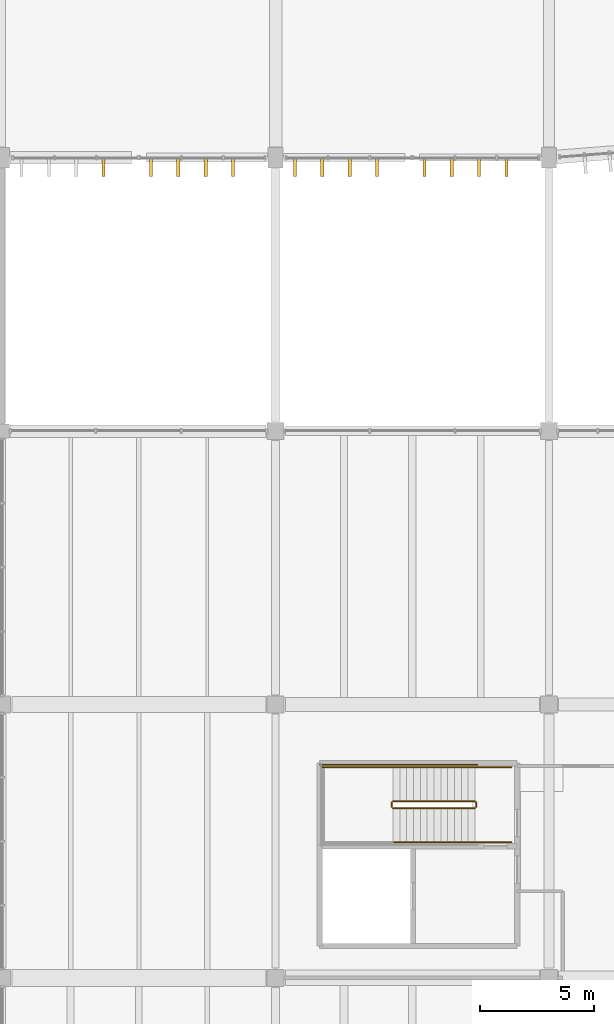
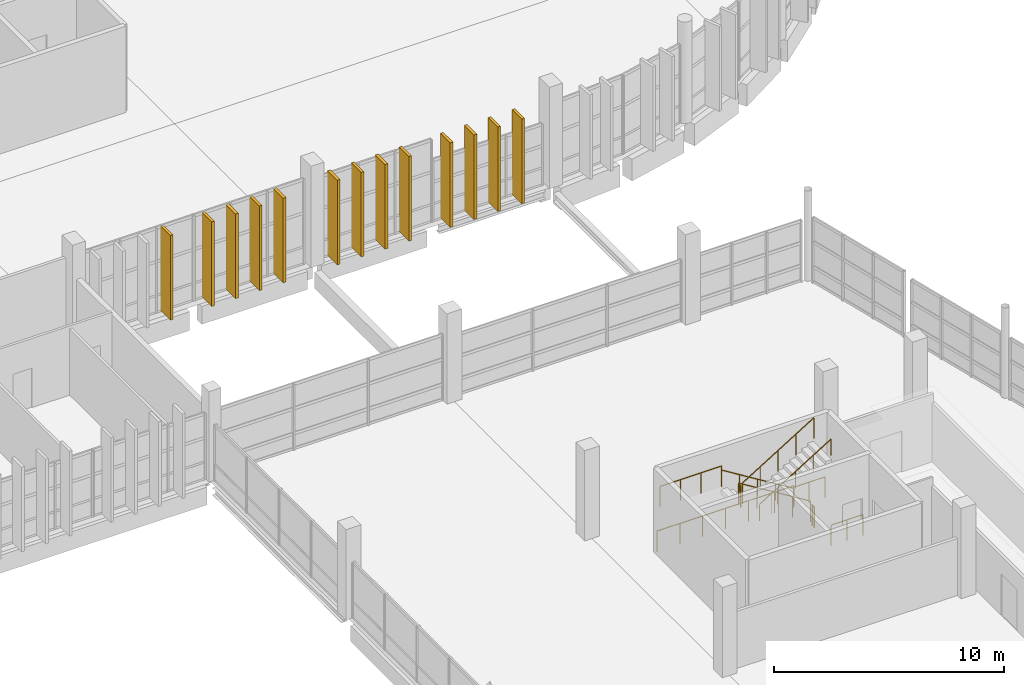
# One storey, part 108 of 112: 13 coverings, 10 railings.
"""IFC4 building model written with IfcOpenShell, lengths in metres."""

from ifc_helpers import new_model, si_unit, direction, frame, origin, origin_2d, place, context, subcontext, project, spatial, rectangle, circle, extrude, material, layer, layer_set, type_object, element, save


model = new_model("IFC4")

# Units and contexts
model_context = context("Model", 3, precision=1e-05, world=origin(), true_north=direction((0.0, 1.0)))
body_context = subcontext(model_context, "Body", "Model", "MODEL_VIEW")
ifc_project = project(units=[si_unit("LENGTHUNIT", "METRE"), si_unit("AREAUNIT", "SQUARE_METRE"), si_unit("VOLUMEUNIT", "CUBIC_METRE"), si_unit("PLANEANGLEUNIT", "RADIAN"), si_unit("MASSUNIT", "GRAM", prefix="KILO")], contexts=[model_context])

# Site, building, storey
site_placement = place(None, origin())
site = spatial("IfcSite", under=ifc_project, at=site_placement, CompositionType="ELEMENT")
building_placement = place(site_placement, origin())
building = spatial("IfcBuilding", under=site, at=building_placement, Name="Kamomehara Wholesale Market", CompositionType="ELEMENT")
storey_placement = place(building_placement, frame((0.0, 0.0, 6.60009765625)))
storey = spatial("IfcBuildingStorey", under=building, at=storey_placement, Name="L01", CompositionType="ELEMENT", Elevation=6.60009765625)

# Coverings
ifc_material_1 = material(Name="Anodised aluminium 6063-T5 Spectrum Red", Category="aluminium")
ifc_layer_1 = layer(ifc_material_1, 0.134033203125)
ifc_layer_set_1 = layer_set([ifc_layer_1], Name="Anodised aluminium 6063-T5 Spectrum Red")
covering_type_1 = type_object("IfcCoveringType", Name="COV-CLD-01", PredefinedType="CLADDING", material=ifc_layer_set_1)
covering_1_placement = place(storey_placement, frame((176.929931640625, 107.594970703125, 0.0), z_axis=(0.0, 0.0, 1.0), x_axis=(1.0, 0.0, 0.0)))
element("IfcCovering", 1, at=covering_1_placement, inside=storey, type_object=covering_type_1, Name="Polychrome spectrum fin S 155", PredefinedType="CLADDING", context=body_context, shape_type="SweptSolid", body=[
    extrude(rectangle(XDim=0.134033203125, YDim=0.85009765625, at=origin_2d()), origin(), (0.0, 0.0, 1.0), 4.5),
])
ifc_material_2 = material(Name="Anodised aluminium 6063-T5 Spectrum Orange", Category="aluminium")
ifc_layer_2 = layer(ifc_material_2, 0.135986328125)
ifc_layer_set_2 = layer_set([ifc_layer_2], Name="Anodised aluminium 6063-T5 Spectrum Orange")
covering_type_2 = type_object("IfcCoveringType", Name="COV-CLD-02", PredefinedType="CLADDING", material=ifc_layer_set_2)
covering_2_placement = place(storey_placement, frame((178.1298828125, 107.594970703125, 0.0), z_axis=(0.0, 0.0, 1.0), x_axis=(1.0, 0.0, 0.0)))
element("IfcCovering", 2, at=covering_2_placement, inside=storey, type_object=covering_type_2, Name="Polychrome spectrum fin S 156", PredefinedType="CLADDING", context=body_context, shape_type="SweptSolid", body=[
    extrude(rectangle(XDim=0.135986328125, YDim=0.85009765625, at=origin_2d()), origin(), (0.0, 0.0, 1.0), 4.5),
])
ifc_material_3 = material(Name="Anodised aluminium 6063-T5 Spectrum Amber", Category="aluminium")
ifc_layer_3 = layer(ifc_material_3, 0.137939453125)
ifc_layer_set_3 = layer_set([ifc_layer_3], Name="Anodised aluminium 6063-T5 Spectrum Amber")
covering_type_3 = type_object("IfcCoveringType", Name="COV-CLD-03", PredefinedType="CLADDING", material=ifc_layer_set_3)
covering_3_placement = place(storey_placement, frame((168.85009765625, 107.594970703125, 0.0), z_axis=(0.0, 0.0, 1.0), x_axis=(1.0, 0.0, 0.0)))
element("IfcCovering", 3, at=covering_3_placement, inside=storey, type_object=covering_type_3, Name="Polychrome spectrum fin S 157", PredefinedType="CLADDING", context=body_context, shape_type="SweptSolid", body=[
    extrude(rectangle(XDim=0.137939453125, YDim=0.85009765625, at=origin_2d()), origin(), (0.0, 0.0, 1.0), 4.5),
])
ifc_material_4 = material(Name="Anodised aluminium 6063-T5 Spectrum Green", Category="aluminium")
ifc_layer_4 = layer(ifc_material_4, 0.139892578125)
ifc_layer_set_4 = layer_set([ifc_layer_4], Name="Anodised aluminium 6063-T5 Spectrum Green")
covering_type_4 = type_object("IfcCoveringType", Name="COV-CLD-04", PredefinedType="CLADDING", material=ifc_layer_set_4)
for number, where, z_axis, x_axis, name in (
    (4, (162.530029296875, 107.594970703125, 0.0), (0.0, 0.0, 1.0), (1.0, 0.0, 0.0), "Polychrome spectrum fin S 137"),
    (5, (160.449951171875, 107.594970703125, 0.0), (0.0, 0.0, 1.0), (1.0, 0.0, 0.0), "Polychrome spectrum fin S 144"),
    (6, (170.050048828125, 107.594970703125, 0.0), (0.0, 0.0, 1.0), (1.0, 0.0, 0.0), "Polychrome spectrum fin S 158"),
):
    element("IfcCovering", number, at=place(storey_placement, frame(where, z_axis=z_axis, x_axis=x_axis)), inside=storey, type_object=covering_type_4, Name=name, PredefinedType="CLADDING", context=body_context, shape_type="SweptSolid", body=[
        extrude(rectangle(XDim=0.139892578125, YDim=0.85009765625, at=origin_2d()), origin(), (0.0, 0.0, 1.0), 4.5),
    ])
ifc_material_5 = material(Name="Anodised aluminium 6063-T5 Spectrum Cyan", Category="aluminium")
ifc_layer_5 = layer(ifc_material_5, 0.14208984375)
ifc_layer_set_5 = layer_set([ifc_layer_5], Name="Anodised aluminium 6063-T5 Spectrum Cyan")
covering_type_5 = type_object("IfcCoveringType", Name="COV-CLD-05", PredefinedType="CLADDING", material=ifc_layer_set_5)
for number, where, z_axis, x_axis, name in (
    (7, (163.72998046875, 107.594970703125, 0.0), (0.0, 0.0, 1.0), (1.0, 0.0, 0.0), "Polychrome spectrum fin S 138"),
    (8, (171.25, 107.594970703125, 0.0), (0.0, 0.0, 1.0), (1.0, 0.0, 0.0), "Polychrome spectrum fin S 159"),
):
    element("IfcCovering", number, at=place(storey_placement, frame(where, z_axis=z_axis, x_axis=x_axis)), inside=storey, type_object=covering_type_5, Name=name, PredefinedType="CLADDING", context=body_context, shape_type="SweptSolid", body=[
        extrude(rectangle(XDim=0.14208984375, YDim=0.85009765625, at=origin_2d()), origin(), (0.0, 0.0, 1.0), 4.5),
    ])
ifc_material_6 = material(Name="Anodised aluminium 6063-T5 Spectrum Blue", Category="aluminium")
ifc_layer_6 = layer(ifc_material_6, 0.14404296875)
ifc_layer_set_6 = layer_set([ifc_layer_6], Name="Anodised aluminium 6063-T5 Spectrum Blue")
covering_type_6 = type_object("IfcCoveringType", Name="COV-CLD-06", PredefinedType="CLADDING", material=ifc_layer_set_6)
for number, where, z_axis, x_axis, name in (
    (9, (164.929931640625, 107.594970703125, 0.0), (0.0, 0.0, 1.0), (1.0, 0.0, 0.0), "Polychrome spectrum fin S 139"),
    (10, (174.530029296875, 107.594970703125, 0.0), (0.0, 0.0, 1.0), (1.0, 0.0, 0.0), "Polychrome spectrum fin S 153"),
    (11, (172.449951171875, 107.594970703125, 0.0), (0.0, 0.0, 1.0), (1.0, 0.0, 0.0), "Polychrome spectrum fin S 160"),
):
    element("IfcCovering", number, at=place(storey_placement, frame(where, z_axis=z_axis, x_axis=x_axis)), inside=storey, type_object=covering_type_6, Name=name, PredefinedType="CLADDING", context=body_context, shape_type="SweptSolid", body=[
        extrude(rectangle(XDim=0.14404296875, YDim=0.85009765625, at=origin_2d()), origin(), (0.0, 0.0, 1.0), 4.5),
    ])
ifc_material_7 = material(Name="Anodised aluminium 6063-T5 Spectrum Violet", Category="aluminium")
ifc_layer_7 = layer(ifc_material_7, 0.14599609375)
ifc_layer_set_7 = layer_set([ifc_layer_7], Name="Anodised aluminium 6063-T5 Spectrum Violet")
covering_type_7 = type_object("IfcCoveringType", Name="COV-CLD-07", PredefinedType="CLADDING", material=ifc_layer_set_7)
for number, where, z_axis, x_axis, name in (
    (12, (166.1298828125, 107.594970703125, 0.0), (0.0, 0.0, 1.0), (1.0, 0.0, 0.0), "Polychrome spectrum fin S 140"),
    (13, (175.72998046875, 107.594970703125, 0.0), (0.0, 0.0, 1.0), (1.0, 0.0, 0.0), "Polychrome spectrum fin S 154"),
):
    element("IfcCovering", number, at=place(storey_placement, frame(where, z_axis=z_axis, x_axis=x_axis)), inside=storey, type_object=covering_type_7, Name=name, PredefinedType="CLADDING", context=body_context, shape_type="SweptSolid", body=[
        extrude(rectangle(XDim=0.14599609375, YDim=0.85009765625, at=origin_2d()), origin(), (0.0, 0.0, 1.0), 4.5),
    ])

# Railings
ifc_material_8 = material(Name="Steel SN400B", Category="steel")
railing_type_1 = type_object("IfcRailingType", Name="RAL-HND-900", PredefinedType="HANDRAIL", material=ifc_material_8)
railing_1_placement = place(storey_placement, frame((176.75, 81.25, 0.1845703125)))
element("IfcRailing", 14, at=railing_1_placement, inside=storey, type_object=railing_type_1, Name="L01 ST-09 stair handrail 1", PredefinedType="HANDRAIL", context=body_context, shape_type="SweptSolid", body=[
    extrude(circle(Radius=0.02392578125, at=origin_2d()), frame((0.0, 0.0, 0.8759765625), z_axis=(-0.85167021472, 0.0, 0.524078090897), x_axis=(0.0, -1.0, 0.0)), (0.0, 0.0, 1.0), 4.22705078125),
    extrude(circle(Radius=0.02099609375, at=origin_2d()), origin(), (0.0, 0.0, 1.0), 0.851806640625),
    extrude(circle(Radius=0.02099609375, at=origin_2d()), frame((-0.89990234375, 0.0, 0.5537109375)), (0.0, 0.0, 1.0), 0.851806640625),
    extrude(circle(Radius=0.02099609375, at=origin_2d()), frame((-1.800048828125, 0.0, 1.107666015625)), (0.0, 0.0, 1.0), 0.851806640625),
    extrude(circle(Radius=0.02099609375, at=origin_2d()), frame((-2.7001953125, 0.0, 1.66162109375)), (0.0, 0.0, 1.0), 0.851806640625),
    extrude(circle(Radius=0.02099609375, at=origin_2d()), frame((-3.60009765625, 0.0, 2.21533203125)), (0.0, 0.0, 1.0), 0.851806640625),
])
railing_2_placement = place(storey_placement, frame((173.14990234375, 77.949951171875, 2.58447265625)))
element("IfcRailing", 15, at=railing_2_placement, inside=storey, type_object=railing_type_1, Name="L01 ST-09 stair handrail 2", PredefinedType="HANDRAIL", context=body_context, shape_type="SweptSolid", body=[
    extrude(circle(Radius=0.02392578125, at=origin_2d()), frame((0.0, 0.0, 0.8759765625), z_axis=(0.85167021472, 0.0, 0.524078090897), x_axis=(0.0, 1.0, 0.0)), (0.0, 0.0, 1.0), 4.22705078125),
    extrude(circle(Radius=0.02099609375, at=origin_2d()), origin(), (0.0, 0.0, 1.0), 0.851806640625),
    extrude(circle(Radius=0.02099609375, at=origin_2d()), frame((0.89990234375, 0.0, 0.5537109375)), (0.0, 0.0, 1.0), 0.851806640625),
    extrude(circle(Radius=0.02099609375, at=origin_2d()), frame((1.800048828125, 0.0, 1.107666015625)), (0.0, 0.0, 1.0), 0.851806640625),
    extrude(circle(Radius=0.02099609375, at=origin_2d()), frame((2.7001953125, 0.0, 1.66162109375)), (0.0, 0.0, 1.0), 0.851806640625),
    extrude(circle(Radius=0.02099609375, at=origin_2d()), frame((3.60009765625, 0.0, 2.21533203125)), (0.0, 0.0, 1.0), 0.851806640625),
])
ifc_material_9 = material(Name="Steel SN400B", Category="steel")
railing_type_2 = type_object("IfcRailingType", Name="RAL-INT-1100", PredefinedType="BALUSTRADE", material=ifc_material_9)
railing_3_placement = place(storey_placement, frame((176.75, 79.75, 0.1845703125)))
element("IfcRailing", 16, at=railing_3_placement, inside=storey, type_object=railing_type_2, Name="L01 ST-09 stair guard 1", PredefinedType="BALUSTRADE", context=body_context, shape_type="SweptSolid", body=[
    extrude(circle(Radius=0.02392578125, at=origin_2d()), frame((0.0, 0.0, 1.09619140625), z_axis=(-0.85167021472, 0.0, 0.524078090897), x_axis=(0.0, -1.0, 0.0)), (0.0, 0.0, 1.0), 4.22705078125),
    extrude(circle(Radius=0.02099609375, at=origin_2d()), origin(), (0.0, 0.0, 1.0), 1.072021484375),
    extrude(circle(Radius=0.02099609375, at=origin_2d()), frame((-0.89990234375, 0.0, 0.5537109375)), (0.0, 0.0, 1.0), 1.072021484375),
    extrude(circle(Radius=0.02099609375, at=origin_2d()), frame((-1.800048828125, 0.0, 1.107666015625)), (0.0, 0.0, 1.0), 1.072021484375),
    extrude(circle(Radius=0.02099609375, at=origin_2d()), frame((-2.7001953125, 0.0, 1.66162109375)), (0.0, 0.0, 1.0), 1.072021484375),
    extrude(circle(Radius=0.02099609375, at=origin_2d()), frame((-3.60009765625, 0.0, 2.21533203125)), (0.0, 0.0, 1.0), 1.072021484375),
])
railing_4_placement = place(storey_placement, frame((173.10009765625, 79.699951171875, 2.39990234375)))
element("IfcRailing", 17, at=railing_4_placement, inside=storey, type_object=railing_type_2, Name="L01 ST-09 stair guard 2", PredefinedType="BALUSTRADE", context=body_context, shape_type="SweptSolid", body=[
    extrude(circle(Radius=0.02392578125, at=origin_2d()), frame((0.0, 0.0, 1.09619140625), z_axis=(0.0, -1.0, 0.0), x_axis=(1.0, 0.0, 0.0)), (0.0, 0.0, 1.0), 0.199951171875),
    extrude(circle(Radius=0.02099609375, at=origin_2d()), origin(), (0.0, 0.0, 1.0), 1.072021484375),
    extrude(circle(Radius=0.02099609375, at=origin_2d()), frame((0.0, -0.199951171875, 0.0)), (0.0, 0.0, 1.0), 1.072021484375),
])
railing_5_placement = place(storey_placement, frame((173.14990234375, 81.25, 2.39990234375)))
element("IfcRailing", 18, at=railing_5_placement, inside=storey, type_object=railing_type_2, Name="L01 ST-09 stair guard 3", PredefinedType="BALUSTRADE", context=body_context, shape_type="SweptSolid", body=[
    extrude(circle(Radius=0.02392578125, at=origin_2d()), frame((0.0, 0.0, 1.09619140625), z_axis=(-1.0, 0.0, 0.0), x_axis=(0.0, -1.0, 0.0)), (0.0, 0.0, 1.0), 3.099853515625),
    extrude(circle(Radius=0.02099609375, at=origin_2d()), origin(), (0.0, 0.0, 1.0), 1.072021484375),
    extrude(circle(Radius=0.02099609375, at=origin_2d()), frame((-1.033203125, 0.0, 0.0)), (0.0, 0.0, 1.0), 1.072021484375),
    extrude(circle(Radius=0.02099609375, at=origin_2d()), frame((-2.066650390625, 0.0, 0.0)), (0.0, 0.0, 1.0), 1.072021484375),
    extrude(circle(Radius=0.02099609375, at=origin_2d()), frame((-3.099853515625, 0.0, 0.0)), (0.0, 0.0, 1.0), 1.072021484375),
])
railing_6_placement = place(storey_placement, frame((173.14990234375, 79.449951171875, 2.58447265625)))
element("IfcRailing", 19, at=railing_6_placement, inside=storey, type_object=railing_type_2, Name="L01 ST-09 stair guard 6", PredefinedType="BALUSTRADE", context=body_context, shape_type="SweptSolid", body=[
    extrude(circle(Radius=0.02392578125, at=origin_2d()), frame((0.0, 0.0, 1.09619140625), z_axis=(0.85167021472, 0.0, 0.524078090897), x_axis=(0.0, 1.0, 0.0)), (0.0, 0.0, 1.0), 4.22705078125),
    extrude(circle(Radius=0.02099609375, at=origin_2d()), origin(), (0.0, 0.0, 1.0), 1.072021484375),
    extrude(circle(Radius=0.02099609375, at=origin_2d()), frame((0.89990234375, 0.0, 0.5537109375)), (0.0, 0.0, 1.0), 1.072021484375),
    extrude(circle(Radius=0.02099609375, at=origin_2d()), frame((1.800048828125, 0.0, 1.107666015625)), (0.0, 0.0, 1.0), 1.072021484375),
    extrude(circle(Radius=0.02099609375, at=origin_2d()), frame((2.7001953125, 0.0, 1.66162109375)), (0.0, 0.0, 1.0), 1.072021484375),
    extrude(circle(Radius=0.02099609375, at=origin_2d()), frame((3.60009765625, 0.0, 2.21533203125)), (0.0, 0.0, 1.0), 1.072021484375),
])
railing_7_placement = place(storey_placement, frame((176.800048828125, 79.699951171875, 0.0)))
element("IfcRailing", 20, at=railing_7_placement, inside=storey, type_object=railing_type_2, Name="L01 ST-09 stair guard 7", PredefinedType="BALUSTRADE", context=body_context, shape_type="SweptSolid", body=[
    extrude(circle(Radius=0.02392578125, at=origin_2d()), frame((0.0, 0.0, 1.09619140625), z_axis=(0.0, -1.0, 0.0), x_axis=(1.0, 0.0, 0.0)), (0.0, 0.0, 1.0), 0.199951171875),
    extrude(circle(Radius=0.02099609375, at=origin_2d()), origin(), (0.0, 0.0, 1.0), 1.072021484375),
    extrude(circle(Radius=0.02099609375, at=origin_2d()), frame((0.0, -0.199951171875, 0.0)), (0.0, 0.0, 1.0), 1.072021484375),
])
for number, where, name in (
    (21, (178.35009765625, 81.25, 0.0), "L01 ST-09 stair guard 8"),
    (22, (178.35009765625, 77.949951171875, 0.0), "L01 ST-09 stair guard 9"),
):
    element("IfcRailing", number, at=place(storey_placement, frame(where)), inside=storey, type_object=railing_type_2, Name=name, PredefinedType="BALUSTRADE", context=body_context, shape_type="SweptSolid", body=[
        extrude(circle(Radius=0.02392578125, at=origin_2d()), frame((0.0, 0.0, 1.09619140625), z_axis=(-1.0, 0.0, 0.0), x_axis=(0.0, -1.0, 0.0)), (0.0, 0.0, 1.0), 1.60009765625),
        extrude(circle(Radius=0.02099609375, at=origin_2d()), origin(), (0.0, 0.0, 1.0), 1.072021484375),
        extrude(circle(Radius=0.02099609375, at=origin_2d()), frame((-0.800048828125, 0.0, 0.0)), (0.0, 0.0, 1.0), 1.072021484375),
        extrude(circle(Radius=0.02099609375, at=origin_2d()), frame((-1.60009765625, 0.0, 0.0)), (0.0, 0.0, 1.0), 1.072021484375),
    ])
railing_8_placement = place(storey_placement, frame((176.85009765625, 81.35009765625, 0.0)))
element("IfcRailing", 23, at=railing_8_placement, inside=storey, type_object=railing_type_2, Name="L01 ST-09 stair guard 10", PredefinedType="BALUSTRADE", context=body_context, shape_type="SweptSolid", body=[
    extrude(circle(Radius=0.02392578125, at=origin_2d()), frame((0.0, 0.0, 1.09619140625), z_axis=(-1.0, 0.0, 0.0), x_axis=(0.0, -1.0, 0.0)), (0.0, 0.0, 1.0), 6.900146484375),
    extrude(circle(Radius=0.02099609375, at=origin_2d()), origin(), (0.0, 0.0, 1.0), 1.072021484375),
    extrude(circle(Radius=0.02099609375, at=origin_2d()), frame((-1.14990234375, 0.0, 0.0)), (0.0, 0.0, 1.0), 1.072021484375),
    extrude(circle(Radius=0.02099609375, at=origin_2d()), frame((-2.300048828125, 0.0, 0.0)), (0.0, 0.0, 1.0), 1.072021484375),
    extrude(circle(Radius=0.02099609375, at=origin_2d()), frame((-3.4501953125, 0.0, 0.0)), (0.0, 0.0, 1.0), 1.072021484375),
    extrude(circle(Radius=0.02099609375, at=origin_2d()), frame((-4.60009765625, 0.0, 0.0)), (0.0, 0.0, 1.0), 1.072021484375),
    extrude(circle(Radius=0.02099609375, at=origin_2d()), frame((-5.75, 0.0, 0.0)), (0.0, 0.0, 1.0), 1.072021484375),
    extrude(circle(Radius=0.02099609375, at=origin_2d()), frame((-6.900146484375, 0.0, 0.0)), (0.0, 0.0, 1.0), 1.072021484375),
])

save(model, "model.ifc")
